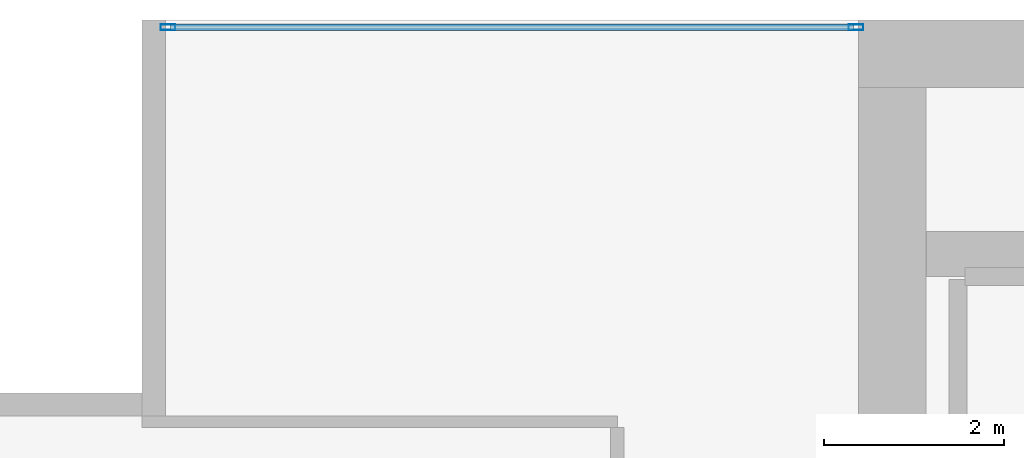
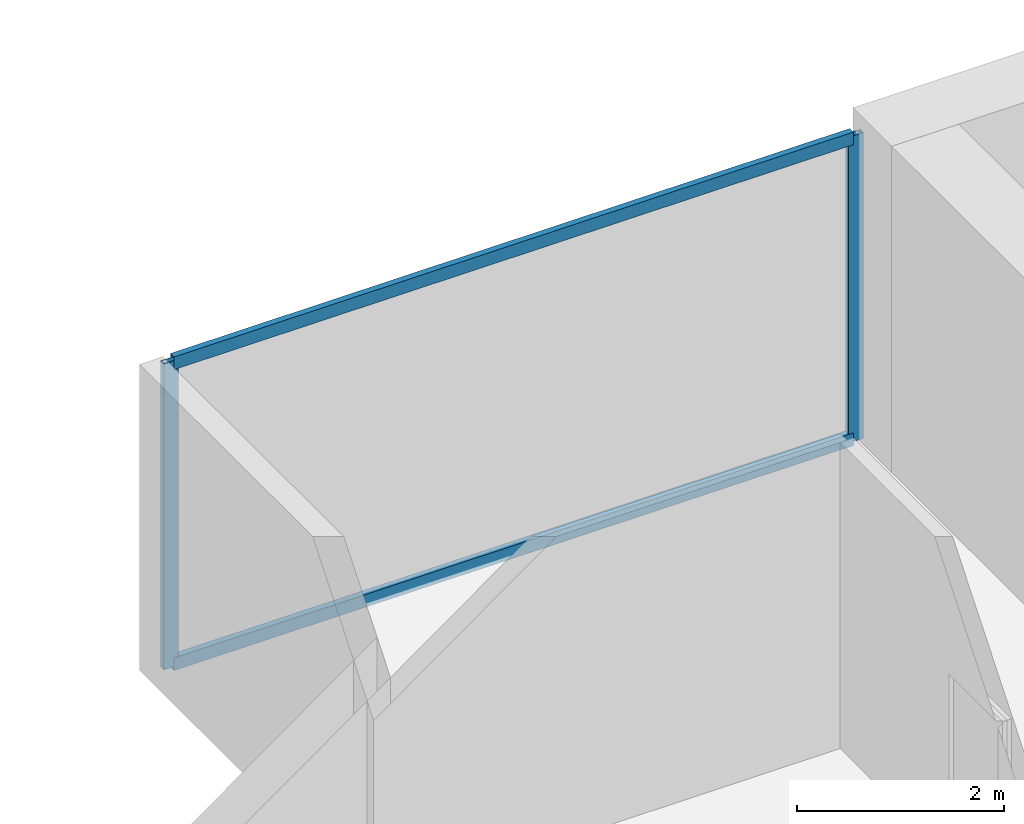
# One storey, part 22 of 34: 4 members, 1 element without a shape of its own.
"""IFC4 building model written with IfcOpenShell, lengths in metres."""

from ifc_helpers import new_model, si_unit, direction, frame, origin, origin_2d, place, context, subcontext, project, spatial, hollow_rectangle, extrude, material, layer, layer_set, material_profile, profile_set, type_object, element, aggregate, save


model = new_model("IFC4")

# Units and contexts
model_context = context("Model", 3, precision=1e-05, world=origin(), true_north=direction((0.0, 1.0)))
body_context = subcontext(model_context, "Body", "Model", "MODEL_VIEW")
ifc_project = project(units=[si_unit("LENGTHUNIT", "METRE"), si_unit("AREAUNIT", "SQUARE_METRE"), si_unit("VOLUMEUNIT", "CUBIC_METRE"), si_unit("PLANEANGLEUNIT", "RADIAN"), si_unit("MASSUNIT", "GRAM", prefix="KILO")], contexts=[model_context])

# Site, building, storey
site_placement = place(None, origin())
site = spatial("IfcSite", under=ifc_project, at=site_placement, CompositionType="ELEMENT")
building_placement = place(site_placement, origin())
building = spatial("IfcBuilding", under=site, at=building_placement, Name="Maruvema Waterfront Hotel and Observation Tower", CompositionType="ELEMENT")
storey_placement = place(building_placement, frame((0.0, 0.0, 135.10009765625)))
storey = spatial("IfcBuildingStorey", under=building, at=storey_placement, Name="L32", CompositionType="ELEMENT", Elevation=135.10009765625)

# Curtain wall, members
ifc_material_1 = material(Name="Anodised bronze aluminium and solar-control low-E IGU", Category="aluminium")
ifc_layer = layer(ifc_material_1, 0.159912109375, Name="Zone 2 Amber Inner Thermal Curtain Wall System CW-03")
ifc_layer_set = layer_set([ifc_layer], Name="Anodised bronze aluminium and solar-control low-E IGU")
curtain_wall_type = type_object("IfcCurtainWallType", Name="Zone 2 Amber Inner Thermal Curtain Wall System CW-03", PredefinedType="USERDEFINED", material=ifc_layer_set)
curtain_wall_placement = place(storey_placement, origin())
curtain_wall = element("IfcCurtainWall", 1, at=curtain_wall_placement, inside=storey, type_object=curtain_wall_type, Name="L32 Curtain Wall CW-L32-NW", ObjectType="UNITISED CURTAIN WALL", PredefinedType="USERDEFINED")
ifc_material_2 = material(Name="Anodised architectural bronze aluminium", Category="aluminium")
ifc_material_profile_1 = material_profile(ifc_material_2, hollow_rectangle(XDim=0.070068359375, YDim=0.14990234375, WallThickness=0.00390625, at=origin_2d()), Name="ALU-T70x150")
ifc_profile_set_1 = profile_set([ifc_material_profile_1], Name="Anodised architectural bronze aluminium")
member_type_1 = type_object("IfcMemberType", Name="Curtain Wall Horizontal Transom ALU-T70x150", PredefinedType="USERDEFINED", material=ifc_profile_set_1)
member_1_placement = place(storey_placement, frame((25.139892578125, 53.919921875, 0.02978515625), z_axis=(-1.0, 0.0, 0.0), x_axis=(0.0, -1.0, 0.0)))
member_1 = element("IfcMember", 2, at=member_1_placement, type_object=member_type_1, Name="CW-03 transom 1.1", ObjectType="TRANSOM", PredefinedType="USERDEFINED", context=body_context, shape_type="SweptSolid", body=[
    extrude(hollow_rectangle(XDim=0.070068359375, YDim=0.14990234375, WallThickness=0.00390625, at=origin_2d()), origin(), (0.0, 0.0, 1.0), 7.579833984375),
])
member_2_placement = place(storey_placement, frame((25.139892578125, 53.919921875, 3.579833984375), z_axis=(-1.0, 0.0, 0.0), x_axis=(0.0, -1.0, 0.0)))
member_2 = element("IfcMember", 3, at=member_2_placement, type_object=member_type_1, Name="CW-03 transom 1.2", ObjectType="TRANSOM", PredefinedType="USERDEFINED", context=body_context, shape_type="SweptSolid", body=[
    extrude(hollow_rectangle(XDim=0.070068359375, YDim=0.14990234375, WallThickness=0.00390625, at=origin_2d()), origin(), (0.0, 0.0, 1.0), 7.579833984375),
])
ifc_material_3 = material(Name="Anodised architectural bronze aluminium", Category="aluminium")
ifc_material_profile_2 = material_profile(ifc_material_3, hollow_rectangle(XDim=0.06494140625, YDim=0.1650390625, WallThickness=0.00390625, at=origin_2d()), Name="ALU-M65x165")
ifc_profile_set_2 = profile_set([ifc_material_profile_2], Name="Anodised architectural bronze aluminium")
member_type_2 = type_object("IfcMemberType", Name="Curtain Wall Primary Mullion ALU-M65x165", PredefinedType="MULLION", material=ifc_profile_set_2)
member_3_placement = place(storey_placement, frame((25.169921875, 53.919921875, 0.0), z_axis=(0.0, 0.0, 1.0), x_axis=(0.0, -1.0, 0.0)))
member_3 = element("IfcMember", 4, at=member_3_placement, type_object=member_type_2, Name="CW-03 mullion 1", PredefinedType="MULLION", context=body_context, shape_type="SweptSolid", body=[
    extrude(hollow_rectangle(XDim=0.06494140625, YDim=0.1650390625, WallThickness=0.00390625, at=origin_2d()), origin(), (0.0, 0.0, 1.0), 3.60986328125),
])
member_4_placement = place(storey_placement, frame((17.530029296875, 53.919921875, 0.0), z_axis=(0.0, 0.0, 1.0), x_axis=(0.0, -1.0, 0.0)))
member_4 = element("IfcMember", 5, at=member_4_placement, type_object=member_type_2, Name="CW-03 mullion 2", PredefinedType="MULLION", context=body_context, shape_type="SweptSolid", body=[
    extrude(hollow_rectangle(XDim=0.06494140625, YDim=0.1650390625, WallThickness=0.00390625, at=origin_2d()), origin(), (0.0, 0.0, 1.0), 3.60986328125),
])
aggregate(curtain_wall, [member_3, member_4, member_1, member_2])

save(model, "model.ifc")
